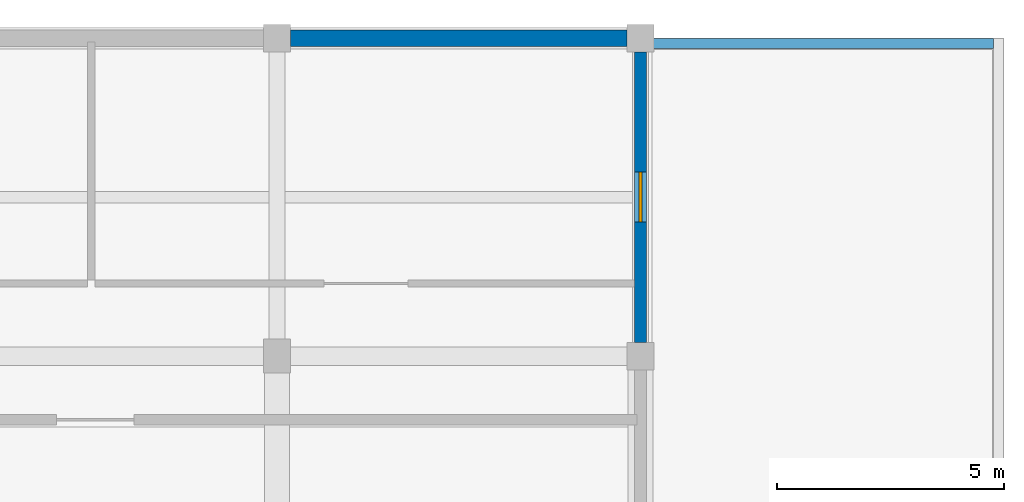
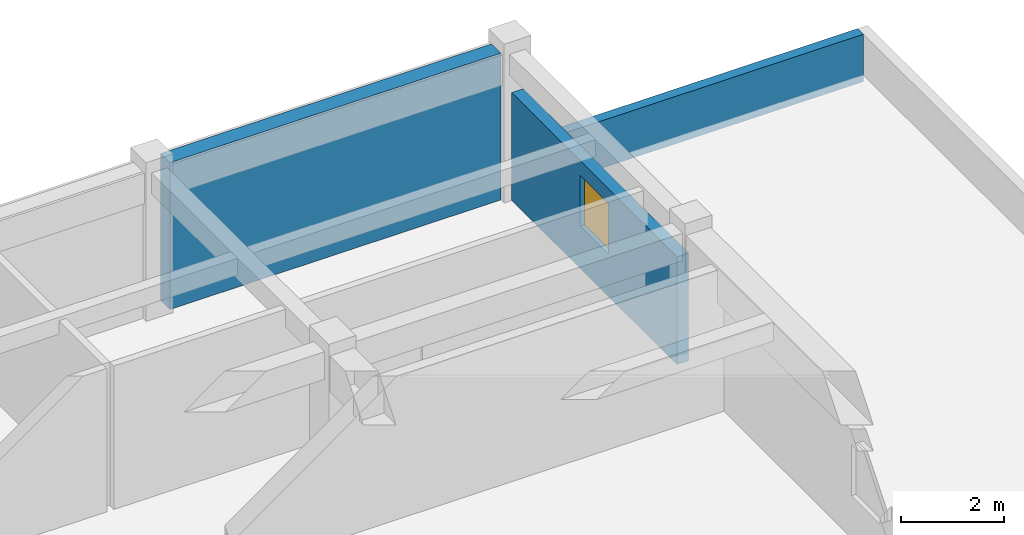
# One storey, part 34 of 42: 3 walls, 1 window, 1 opening.
"""IFC4 building model written with IfcOpenShell, lengths in metres."""

from ifc_helpers import new_model, si_unit, direction, frame, frame_2d, origin, place, context, subcontext, project, spatial, rectangle, extrude, material, layer, layer_set, type_object, element, fill, save


model = new_model("IFC4")

# Units and contexts
model_context = context("Model", 3, precision=1e-05, world=origin(), true_north=direction((0.0, 1.0)))
body_context = subcontext(model_context, "Body", "Model", "MODEL_VIEW")
ifc_project = project(units=[si_unit("LENGTHUNIT", "METRE"), si_unit("AREAUNIT", "SQUARE_METRE"), si_unit("VOLUMEUNIT", "CUBIC_METRE"), si_unit("PLANEANGLEUNIT", "RADIAN"), si_unit("MASSUNIT", "GRAM", prefix="KILO")], contexts=[model_context])

# Site, building, storey
site_placement = place(None, origin())
site = spatial("IfcSite", under=ifc_project, at=site_placement, CompositionType="ELEMENT")
building_placement = place(site_placement, origin())
building = spatial("IfcBuilding", under=site, at=building_placement, Name="Naurynzar Civic Courthouse", CompositionType="ELEMENT")
storey_placement = place(building_placement, frame((0.0, 0.0, 18.300048828125)))
storey = spatial("IfcBuildingStorey", under=building, at=storey_placement, Name="L05", CompositionType="ELEMENT", Elevation=18.300048828125)

# Wall, opening, window
ifc_material_1 = material(Name="Precast concrete C40/50", Category="concrete")
ifc_layer_1 = layer(ifc_material_1, 0.260009765625)
ifc_layer_set_1 = layer_set([ifc_layer_1], Name="WL-EXT-260")
wall_type_1 = type_object("IfcWallType", Name="WL-EXT-260", PredefinedType="SOLIDWALL", material=ifc_layer_set_1)
wall_1_placement = place(storey_placement, frame((162.0, 71.699951171875, 0.0), z_axis=(0.0, 0.0, 1.0), x_axis=(0.0, -1.0, 0.0)))
wall_1 = element("IfcWall", 1, at=wall_1_placement, inside=storey, type_object=wall_type_1, Name="V5 exterior wall east_north L05.1.1", PredefinedType="SOLIDWALL", context=body_context, shape_type="SweptSolid", body=[
    extrude(rectangle(XDim=6.39990234375, YDim=0.260009765625, at=frame_2d((3.199951171875, 0.0))), origin(), (0.0, 0.0, 1.0), 2.550048828125),
])
opening_placement = place(wall_1_placement, frame((2.64990234375, 0.0, 1.0)))
opening = element("IfcOpeningElement", 2, at=opening_placement, cuts=wall_1, Name="Opening WN-15", PredefinedType="OPENING", context=body_context, shape_type="SweptSolid", body=[
    extrude(rectangle(XDim=1.10009765625, YDim=1.199951171875, at=frame_2d((0.550048828125, 0.60009765625))), frame((0.0, 0.139892578125, 0.0), z_axis=(0.0, -1.0, 0.0), x_axis=(1.0, 0.0, 0.0)), (0.0, 0.0, 1.0), 0.280029296875),
])
ifc_material_2 = material(Name="Tempered Laminated Low-E Glass", Category="glass")
window_type = type_object("IfcWindowType", Name="WIN-SEC-1100x1200", PartitioningType="SINGLE_PANEL", PredefinedType="WINDOW", material=ifc_material_2)
window_placement = place(opening_placement, origin())
window = element("IfcWindow", 3, at=window_placement, inside=storey, type_object=window_type, Name="V5 window 324 L05", OverallHeight=1.199951171875, OverallWidth=1.10009765625, PartitioningType="SINGLE_PANEL", PredefinedType="WINDOW", context=body_context, shape_type="SweptSolid", body=[
    extrude(rectangle(XDim=1.10009765625, YDim=1.199951171875, at=frame_2d((0.550048828125, 0.60009765625))), frame((0.0, 0.030029296875, 0.0), z_axis=(0.0, -1.0, 0.0), x_axis=(1.0, 0.0, 0.0)), (0.0, 0.0, 1.0), 0.06005859375),
])
fill(opening, window)

# Walls
ifc_material_3 = material(Name="Precast concrete C40/50", Category="concrete")
ifc_layer_2 = layer(ifc_material_3, 0.219970703125)
ifc_layer_set_2 = layer_set([ifc_layer_2], Name="WL-PARA-220")
wall_type_2 = type_object("IfcWallType", Name="WL-PARA-220", PredefinedType="PARAPET", material=ifc_layer_set_2)
wall_2_placement = place(storey_placement, frame((162.22998046875, 71.8798828125, 0.0), z_axis=(0.0, 0.0, 1.0), x_axis=(1.0, 0.0, 0.0)))
element("IfcWall", 4, at=wall_2_placement, inside=storey, type_object=wall_type_2, Name="Roof perimeter parapet V5-E5.20", PredefinedType="PARAPET", context=body_context, shape_type="SweptSolid", body=[
    extrude(rectangle(XDim=7.5400390625, YDim=0.219970703125, at=frame_2d((3.77001953125, 0.0))), origin(), (0.0, 0.0, 1.0), 1.119873046875),
])
ifc_material_4 = material(Name="Concrete C40/50", Category="concrete")
ifc_layer_3 = layer(ifc_material_4, 0.360107421875)
ifc_layer_set_3 = layer_set([ifc_layer_3], Name="WL-PARTY-360")
wall_type_3 = type_object("IfcWallType", Name="WL-PARTY-360", PredefinedType="SOLIDWALL", material=ifc_layer_set_3)
wall_3_placement = place(storey_placement, frame((154.300048828125, 72.0, 0.0), z_axis=(0.0, 0.0, 1.0), x_axis=(1.0, 0.0, 0.0)))
element("IfcWall", 5, at=wall_3_placement, inside=storey, type_object=wall_type_3, Name="V5 solid seismic party wall L05 4", PredefinedType="SOLIDWALL", context=body_context, shape_type="SweptSolid", body=[
    extrude(rectangle(XDim=7.39990234375, YDim=0.360107421875, at=frame_2d((3.699951171875, 0.0))), origin(), (0.0, 0.0, 1.0), 3.469970703125),
])

save(model, "model.ifc")
